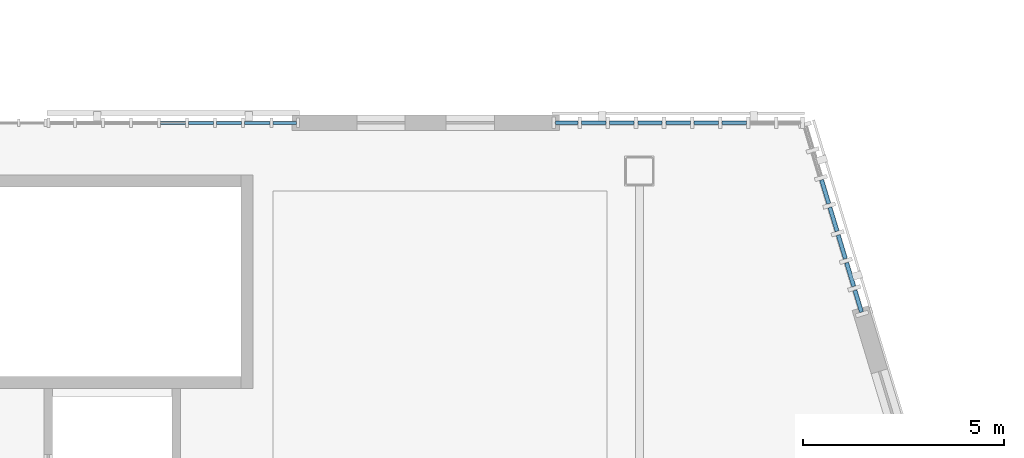
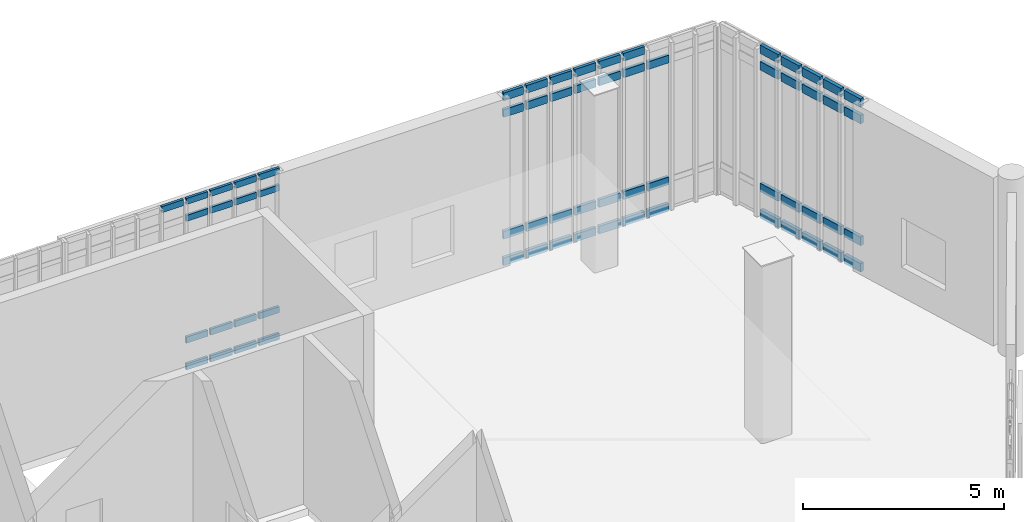
# One storey, part 69 of 135: 64 members, 3 elements without a shape of their own.
"""IFC4 building model written with IfcOpenShell, lengths in metres."""

from ifc_helpers import new_model, si_unit, direction, frame, origin, origin_2d, place, context, subcontext, project, spatial, rectangle, extrude, material, material_profile, profile_set, type_object, element, aggregate, save


model = new_model("IFC4")

# Units and contexts
model_context = context("Model", 3, precision=1e-05, world=origin(), true_north=direction((0.0, 1.0)))
body_context = subcontext(model_context, "Body", "Model", "MODEL_VIEW")
ifc_project = project(units=[si_unit("LENGTHUNIT", "METRE"), si_unit("AREAUNIT", "SQUARE_METRE"), si_unit("VOLUMEUNIT", "CUBIC_METRE"), si_unit("PLANEANGLEUNIT", "RADIAN"), si_unit("MASSUNIT", "GRAM", prefix="KILO")], contexts=[model_context])

# Site, building, storey
site_placement = place(None, origin())
site = spatial("IfcSite", under=ifc_project, at=site_placement, CompositionType="ELEMENT")
building_placement = place(site_placement, origin())
building = spatial("IfcBuilding", under=site, at=building_placement, Name="Larkvane Passage Sports Hall", CompositionType="ELEMENT")
storey_placement = place(building_placement, frame((0.0, 0.0, 16.800048828125)))
storey = spatial("IfcBuildingStorey", under=building, at=storey_placement, Name="L03", CompositionType="ELEMENT", Elevation=16.800048828125)

# Curtain wall, members
ifc_material_1 = material(Name="Thermally broken aluminium and low-E glazing", Category="aluminium")
curtain_wall_type_1 = type_object("IfcCurtainWallType", Name="CW-CLINIC", PredefinedType="USERDEFINED", material=ifc_material_1)
curtain_wall_1_placement = place(storey_placement, origin())
curtain_wall_1 = element("IfcCurtainWall", 1, at=curtain_wall_1_placement, inside=storey, type_object=curtain_wall_type_1, Name="Curtain wall CW5-L03-107", ObjectType="UNITISED CURTAIN WALL", PredefinedType="USERDEFINED")
ifc_material_2 = material(Name="Anodised aluminium 6063-T6", Category="aluminium")
ifc_material_profile_1 = material_profile(ifc_material_2, rectangle(XDim=0.10009765625, YDim=0.260009765625, at=origin_2d()), Name="ALU-TRN-100x260")
ifc_profile_set_1 = profile_set([ifc_material_profile_1], Name="Anodised aluminium 6063-T6")
member_type_1 = type_object("IfcMemberType", Name="CW-TRN-100x260", PredefinedType="USERDEFINED", material=ifc_profile_set_1)
member_1_placement = place(storey_placement, frame((150.128662109375, 83.78076171875, 0.050048828125), z_axis=(0.289127867372, -0.9572904869, 0.0), x_axis=(0.9572904869, 0.289127867372, 0.0)))
member_1 = element("IfcMember", 2, at=member_1_placement, type_object=member_type_1, Name="CW-05 transom 3.1", ObjectType="TRANSOM", PredefinedType="USERDEFINED", context=body_context, shape_type="SweptSolid", body=[
    extrude(rectangle(XDim=0.10009765625, YDim=0.260009765625, at=origin_2d()), origin(), (0.0, 0.0, 1.0), 0.616455078125),
])
member_2_placement = place(storey_placement, frame((150.128662109375, 83.78076171875, 0.849853515625), z_axis=(0.289127867372, -0.9572904869, 0.0), x_axis=(0.9572904869, 0.289127867372, 0.0)))
member_2 = element("IfcMember", 3, at=member_2_placement, type_object=member_type_1, Name="CW-05 transom 3.2", ObjectType="TRANSOM", PredefinedType="USERDEFINED", context=body_context, shape_type="SweptSolid", body=[
    extrude(rectangle(XDim=0.10009765625, YDim=0.260009765625, at=origin_2d()), origin(), (0.0, 0.0, 1.0), 0.616455078125),
])
member_3_placement = place(storey_placement, frame((150.128662109375, 83.78076171875, 4.550048828125), z_axis=(0.289127867372, -0.9572904869, 0.0), x_axis=(0.9572904869, 0.289127867372, 0.0)))
member_3 = element("IfcMember", 4, at=member_3_placement, type_object=member_type_1, Name="CW-05 transom 3.3", ObjectType="TRANSOM", PredefinedType="USERDEFINED", context=body_context, shape_type="SweptSolid", body=[
    extrude(rectangle(XDim=0.10009765625, YDim=0.260009765625, at=origin_2d()), origin(), (0.0, 0.0, 1.0), 0.616455078125),
])
member_4_placement = place(storey_placement, frame((150.128662109375, 83.78076171875, 5.050048828125), z_axis=(0.289127867372, -0.9572904869, 0.0), x_axis=(0.9572904869, 0.289127867372, 0.0)))
member_4 = element("IfcMember", 5, at=member_4_placement, type_object=member_type_1, Name="CW-05 transom 3.4", ObjectType="TRANSOM", PredefinedType="USERDEFINED", context=body_context, shape_type="SweptSolid", body=[
    extrude(rectangle(XDim=0.10009765625, YDim=0.260009765625, at=origin_2d()), origin(), (0.0, 0.0, 1.0), 0.616455078125),
])
member_5_placement = place(storey_placement, frame((150.3359375, 83.094970703125, 0.050048828125), z_axis=(0.289237529827, -0.957257358989, 0.0), x_axis=(0.957257358989, 0.289237529827, 0.0)))
member_5 = element("IfcMember", 6, at=member_5_placement, type_object=member_type_1, Name="CW-05 transom 4.1", ObjectType="TRANSOM", PredefinedType="USERDEFINED", context=body_context, shape_type="SweptSolid", body=[
    extrude(rectangle(XDim=0.10009765625, YDim=0.260009765625, at=origin_2d()), origin(), (0.0, 0.0, 1.0), 0.6162109375),
])
member_6_placement = place(storey_placement, frame((150.3359375, 83.094970703125, 0.849853515625), z_axis=(0.289237529827, -0.957257358989, 0.0), x_axis=(0.957257358989, 0.289237529827, 0.0)))
member_6 = element("IfcMember", 7, at=member_6_placement, type_object=member_type_1, Name="CW-05 transom 4.2", ObjectType="TRANSOM", PredefinedType="USERDEFINED", context=body_context, shape_type="SweptSolid", body=[
    extrude(rectangle(XDim=0.10009765625, YDim=0.260009765625, at=origin_2d()), origin(), (0.0, 0.0, 1.0), 0.6162109375),
])
member_7_placement = place(storey_placement, frame((150.3359375, 83.094970703125, 4.550048828125), z_axis=(0.289237529827, -0.957257358989, 0.0), x_axis=(0.957257358989, 0.289237529827, 0.0)))
member_7 = element("IfcMember", 8, at=member_7_placement, type_object=member_type_1, Name="CW-05 transom 4.3", ObjectType="TRANSOM", PredefinedType="USERDEFINED", context=body_context, shape_type="SweptSolid", body=[
    extrude(rectangle(XDim=0.10009765625, YDim=0.260009765625, at=origin_2d()), origin(), (0.0, 0.0, 1.0), 0.6162109375),
])
member_8_placement = place(storey_placement, frame((150.3359375, 83.094970703125, 5.050048828125), z_axis=(0.289237529827, -0.957257358989, 0.0), x_axis=(0.957257358989, 0.289237529827, 0.0)))
member_8 = element("IfcMember", 9, at=member_8_placement, type_object=member_type_1, Name="CW-05 transom 4.4", ObjectType="TRANSOM", PredefinedType="USERDEFINED", context=body_context, shape_type="SweptSolid", body=[
    extrude(rectangle(XDim=0.10009765625, YDim=0.260009765625, at=origin_2d()), origin(), (0.0, 0.0, 1.0), 0.6162109375),
])
member_9_placement = place(storey_placement, frame((150.54296875, 82.4091796875, 0.050048828125), z_axis=(0.289237529827, -0.957257358989, 0.0), x_axis=(0.957257358989, 0.289237529827, 0.0)))
member_9 = element("IfcMember", 10, at=member_9_placement, type_object=member_type_1, Name="CW-05 transom 5.1", ObjectType="TRANSOM", PredefinedType="USERDEFINED", context=body_context, shape_type="SweptSolid", body=[
    extrude(rectangle(XDim=0.10009765625, YDim=0.260009765625, at=origin_2d()), origin(), (0.0, 0.0, 1.0), 0.6162109375),
])
member_10_placement = place(storey_placement, frame((150.54296875, 82.4091796875, 0.849853515625), z_axis=(0.289237529827, -0.957257358989, 0.0), x_axis=(0.957257358989, 0.289237529827, 0.0)))
member_10 = element("IfcMember", 11, at=member_10_placement, type_object=member_type_1, Name="CW-05 transom 5.2", ObjectType="TRANSOM", PredefinedType="USERDEFINED", context=body_context, shape_type="SweptSolid", body=[
    extrude(rectangle(XDim=0.10009765625, YDim=0.260009765625, at=origin_2d()), origin(), (0.0, 0.0, 1.0), 0.6162109375),
])
member_11_placement = place(storey_placement, frame((150.54296875, 82.4091796875, 4.550048828125), z_axis=(0.289237529827, -0.957257358989, 0.0), x_axis=(0.957257358989, 0.289237529827, 0.0)))
member_11 = element("IfcMember", 12, at=member_11_placement, type_object=member_type_1, Name="CW-05 transom 5.3", ObjectType="TRANSOM", PredefinedType="USERDEFINED", context=body_context, shape_type="SweptSolid", body=[
    extrude(rectangle(XDim=0.10009765625, YDim=0.260009765625, at=origin_2d()), origin(), (0.0, 0.0, 1.0), 0.6162109375),
])
member_12_placement = place(storey_placement, frame((150.54296875, 82.4091796875, 5.050048828125), z_axis=(0.289237529827, -0.957257358989, 0.0), x_axis=(0.957257358989, 0.289237529827, 0.0)))
member_12 = element("IfcMember", 13, at=member_12_placement, type_object=member_type_1, Name="CW-05 transom 5.4", ObjectType="TRANSOM", PredefinedType="USERDEFINED", context=body_context, shape_type="SweptSolid", body=[
    extrude(rectangle(XDim=0.10009765625, YDim=0.260009765625, at=origin_2d()), origin(), (0.0, 0.0, 1.0), 0.6162109375),
])
member_13_placement = place(storey_placement, frame((150.750244140625, 81.7236328125, 0.050048828125), z_axis=(0.289127867372, -0.9572904869, 0.0), x_axis=(0.9572904869, 0.289127867372, 0.0)))
member_13 = element("IfcMember", 14, at=member_13_placement, type_object=member_type_1, Name="CW-05 transom 6.1", ObjectType="TRANSOM", PredefinedType="USERDEFINED", context=body_context, shape_type="SweptSolid", body=[
    extrude(rectangle(XDim=0.10009765625, YDim=0.260009765625, at=origin_2d()), origin(), (0.0, 0.0, 1.0), 0.616455078125),
])
member_14_placement = place(storey_placement, frame((150.750244140625, 81.7236328125, 0.849853515625), z_axis=(0.289127867372, -0.9572904869, 0.0), x_axis=(0.9572904869, 0.289127867372, 0.0)))
member_14 = element("IfcMember", 15, at=member_14_placement, type_object=member_type_1, Name="CW-05 transom 6.2", ObjectType="TRANSOM", PredefinedType="USERDEFINED", context=body_context, shape_type="SweptSolid", body=[
    extrude(rectangle(XDim=0.10009765625, YDim=0.260009765625, at=origin_2d()), origin(), (0.0, 0.0, 1.0), 0.616455078125),
])
member_15_placement = place(storey_placement, frame((150.750244140625, 81.7236328125, 4.550048828125), z_axis=(0.289127867372, -0.9572904869, 0.0), x_axis=(0.9572904869, 0.289127867372, 0.0)))
member_15 = element("IfcMember", 16, at=member_15_placement, type_object=member_type_1, Name="CW-05 transom 6.3", ObjectType="TRANSOM", PredefinedType="USERDEFINED", context=body_context, shape_type="SweptSolid", body=[
    extrude(rectangle(XDim=0.10009765625, YDim=0.260009765625, at=origin_2d()), origin(), (0.0, 0.0, 1.0), 0.616455078125),
])
member_16_placement = place(storey_placement, frame((150.750244140625, 81.7236328125, 5.050048828125), z_axis=(0.289127867372, -0.9572904869, 0.0), x_axis=(0.9572904869, 0.289127867372, 0.0)))
member_16 = element("IfcMember", 17, at=member_16_placement, type_object=member_type_1, Name="CW-05 transom 6.4", ObjectType="TRANSOM", PredefinedType="USERDEFINED", context=body_context, shape_type="SweptSolid", body=[
    extrude(rectangle(XDim=0.10009765625, YDim=0.260009765625, at=origin_2d()), origin(), (0.0, 0.0, 1.0), 0.616455078125),
])
member_17_placement = place(storey_placement, frame((150.957275390625, 81.037841796875, 0.050048828125), z_axis=(0.2893251861, -0.957230869064, 0.0), x_axis=(0.957230869064, 0.2893251861, 0.0)))
member_17 = element("IfcMember", 18, at=member_17_placement, type_object=member_type_1, Name="CW-05 transom 7.1", ObjectType="TRANSOM", PredefinedType="USERDEFINED", context=body_context, shape_type="SweptSolid", body=[
    extrude(rectangle(XDim=0.10009765625, YDim=0.260009765625, at=origin_2d()), origin(), (0.0, 0.0, 1.0), 0.566162109375),
])
member_18_placement = place(storey_placement, frame((150.957275390625, 81.037841796875, 0.849853515625), z_axis=(0.2893251861, -0.957230869064, 0.0), x_axis=(0.957230869064, 0.2893251861, 0.0)))
member_18 = element("IfcMember", 19, at=member_18_placement, type_object=member_type_1, Name="CW-05 transom 7.2", ObjectType="TRANSOM", PredefinedType="USERDEFINED", context=body_context, shape_type="SweptSolid", body=[
    extrude(rectangle(XDim=0.10009765625, YDim=0.260009765625, at=origin_2d()), origin(), (0.0, 0.0, 1.0), 0.566162109375),
])
member_19_placement = place(storey_placement, frame((150.957275390625, 81.037841796875, 4.550048828125), z_axis=(0.2893251861, -0.957230869064, 0.0), x_axis=(0.957230869064, 0.2893251861, 0.0)))
member_19 = element("IfcMember", 20, at=member_19_placement, type_object=member_type_1, Name="CW-05 transom 7.3", ObjectType="TRANSOM", PredefinedType="USERDEFINED", context=body_context, shape_type="SweptSolid", body=[
    extrude(rectangle(XDim=0.10009765625, YDim=0.260009765625, at=origin_2d()), origin(), (0.0, 0.0, 1.0), 0.566162109375),
])
member_20_placement = place(storey_placement, frame((150.957275390625, 81.037841796875, 5.050048828125), z_axis=(0.2893251861, -0.957230869064, 0.0), x_axis=(0.957230869064, 0.2893251861, 0.0)))
member_20 = element("IfcMember", 21, at=member_20_placement, type_object=member_type_1, Name="CW-05 transom 7.4", ObjectType="TRANSOM", PredefinedType="USERDEFINED", context=body_context, shape_type="SweptSolid", body=[
    extrude(rectangle(XDim=0.10009765625, YDim=0.260009765625, at=origin_2d()), origin(), (0.0, 0.0, 1.0), 0.566162109375),
])
aggregate(curtain_wall_1, [member_1, member_2, member_3, member_4, member_5, member_6, member_7, member_8, member_9, member_10, member_11, member_12, member_13, member_14, member_15, member_16, member_17, member_18, member_19, member_20])

curtain_wall_type_2 = type_object("IfcCurtainWallType", Name="CW-UNIT-VEIL", PredefinedType="USERDEFINED", material=ifc_material_1)
curtain_wall_2_placement = place(storey_placement, origin())
curtain_wall_2 = element("IfcCurtainWall", 22, at=curtain_wall_2_placement, inside=storey, type_object=curtain_wall_type_2, Name="Curtain wall CW5-L03-105", ObjectType="UNITISED CURTAIN WALL", PredefinedType="USERDEFINED")
ifc_material_profile_2 = material_profile(ifc_material_2, rectangle(XDim=0.074951171875, YDim=0.18505859375, at=origin_2d()), Name="ALU-TRN-75x185")
ifc_profile_set_2 = profile_set([ifc_material_profile_2], Name="Anodised aluminium 6063-T6")
member_type_2 = type_object("IfcMemberType", Name="CW-TRN-75x185", PredefinedType="USERDEFINED", material=ifc_profile_set_2)
member_21_placement = place(storey_placement, frame((133.701416015625, 85.199951171875, 5.0625), z_axis=(1.0, 0.0, 0.0), x_axis=(0.0, 1.0, 0.0)))
member_21 = element("IfcMember", 23, at=member_21_placement, type_object=member_type_2, Name="CW-02 transom 5.4", ObjectType="TRANSOM", PredefinedType="USERDEFINED", context=body_context, shape_type="SweptSolid", body=[
    extrude(rectangle(XDim=0.074951171875, YDim=0.18505859375, at=origin_2d()), origin(), (0.0, 0.0, 1.0), 0.622314453125),
])
member_22_placement = place(storey_placement, frame((134.398681640625, 85.199951171875, 0.037353515625), z_axis=(1.0, 0.0, 0.0), x_axis=(0.0, 1.0, 0.0)))
member_22 = element("IfcMember", 24, at=member_22_placement, type_object=member_type_2, Name="CW-02 transom 6.1", ObjectType="TRANSOM", PredefinedType="USERDEFINED", context=body_context, shape_type="SweptSolid", body=[
    extrude(rectangle(XDim=0.074951171875, YDim=0.18505859375, at=origin_2d()), origin(), (0.0, 0.0, 1.0), 0.6220703125),
])
member_23_placement = place(storey_placement, frame((134.398681640625, 85.199951171875, 0.849853515625), z_axis=(1.0, 0.0, 0.0), x_axis=(0.0, 1.0, 0.0)))
member_23 = element("IfcMember", 25, at=member_23_placement, type_object=member_type_2, Name="CW-02 transom 6.2", ObjectType="TRANSOM", PredefinedType="USERDEFINED", context=body_context, shape_type="SweptSolid", body=[
    extrude(rectangle(XDim=0.074951171875, YDim=0.18505859375, at=origin_2d()), origin(), (0.0, 0.0, 1.0), 0.6220703125),
])
member_24_placement = place(storey_placement, frame((134.398681640625, 85.199951171875, 4.550048828125), z_axis=(1.0, 0.0, 0.0), x_axis=(0.0, 1.0, 0.0)))
member_24 = element("IfcMember", 26, at=member_24_placement, type_object=member_type_2, Name="CW-02 transom 6.3", ObjectType="TRANSOM", PredefinedType="USERDEFINED", context=body_context, shape_type="SweptSolid", body=[
    extrude(rectangle(XDim=0.074951171875, YDim=0.18505859375, at=origin_2d()), origin(), (0.0, 0.0, 1.0), 0.6220703125),
])
member_25_placement = place(storey_placement, frame((134.398681640625, 85.199951171875, 5.0625), z_axis=(1.0, 0.0, 0.0), x_axis=(0.0, 1.0, 0.0)))
member_25 = element("IfcMember", 27, at=member_25_placement, type_object=member_type_2, Name="CW-02 transom 6.4", ObjectType="TRANSOM", PredefinedType="USERDEFINED", context=body_context, shape_type="SweptSolid", body=[
    extrude(rectangle(XDim=0.074951171875, YDim=0.18505859375, at=origin_2d()), origin(), (0.0, 0.0, 1.0), 0.6220703125),
])
member_26_placement = place(storey_placement, frame((135.095947265625, 85.199951171875, 0.037353515625), z_axis=(1.0, 0.0, 0.0), x_axis=(0.0, 1.0, 0.0)))
member_26 = element("IfcMember", 28, at=member_26_placement, type_object=member_type_2, Name="CW-02 transom 7.1", ObjectType="TRANSOM", PredefinedType="USERDEFINED", context=body_context, shape_type="SweptSolid", body=[
    extrude(rectangle(XDim=0.074951171875, YDim=0.18505859375, at=origin_2d()), origin(), (0.0, 0.0, 1.0), 0.6220703125),
])
member_27_placement = place(storey_placement, frame((135.095947265625, 85.199951171875, 0.849853515625), z_axis=(1.0, 0.0, 0.0), x_axis=(0.0, 1.0, 0.0)))
member_27 = element("IfcMember", 29, at=member_27_placement, type_object=member_type_2, Name="CW-02 transom 7.2", ObjectType="TRANSOM", PredefinedType="USERDEFINED", context=body_context, shape_type="SweptSolid", body=[
    extrude(rectangle(XDim=0.074951171875, YDim=0.18505859375, at=origin_2d()), origin(), (0.0, 0.0, 1.0), 0.6220703125),
])
member_28_placement = place(storey_placement, frame((135.095947265625, 85.199951171875, 4.550048828125), z_axis=(1.0, 0.0, 0.0), x_axis=(0.0, 1.0, 0.0)))
member_28 = element("IfcMember", 30, at=member_28_placement, type_object=member_type_2, Name="CW-02 transom 7.3", ObjectType="TRANSOM", PredefinedType="USERDEFINED", context=body_context, shape_type="SweptSolid", body=[
    extrude(rectangle(XDim=0.074951171875, YDim=0.18505859375, at=origin_2d()), origin(), (0.0, 0.0, 1.0), 0.6220703125),
])
member_29_placement = place(storey_placement, frame((135.095947265625, 85.199951171875, 5.0625), z_axis=(1.0, 0.0, 0.0), x_axis=(0.0, 1.0, 0.0)))
member_29 = element("IfcMember", 31, at=member_29_placement, type_object=member_type_2, Name="CW-02 transom 7.4", ObjectType="TRANSOM", PredefinedType="USERDEFINED", context=body_context, shape_type="SweptSolid", body=[
    extrude(rectangle(XDim=0.074951171875, YDim=0.18505859375, at=origin_2d()), origin(), (0.0, 0.0, 1.0), 0.6220703125),
])
member_30_placement = place(storey_placement, frame((135.79296875, 85.199951171875, 0.037353515625), z_axis=(1.0, 0.0, 0.0), x_axis=(0.0, 1.0, 0.0)))
member_30 = element("IfcMember", 32, at=member_30_placement, type_object=member_type_2, Name="CW-02 transom 8.1", ObjectType="TRANSOM", PredefinedType="USERDEFINED", context=body_context, shape_type="SweptSolid", body=[
    extrude(rectangle(XDim=0.074951171875, YDim=0.18505859375, at=origin_2d()), origin(), (0.0, 0.0, 1.0), 0.622314453125),
])
member_31_placement = place(storey_placement, frame((135.79296875, 85.199951171875, 0.849853515625), z_axis=(1.0, 0.0, 0.0), x_axis=(0.0, 1.0, 0.0)))
member_31 = element("IfcMember", 33, at=member_31_placement, type_object=member_type_2, Name="CW-02 transom 8.2", ObjectType="TRANSOM", PredefinedType="USERDEFINED", context=body_context, shape_type="SweptSolid", body=[
    extrude(rectangle(XDim=0.074951171875, YDim=0.18505859375, at=origin_2d()), origin(), (0.0, 0.0, 1.0), 0.622314453125),
])
member_32_placement = place(storey_placement, frame((135.79296875, 85.199951171875, 4.550048828125), z_axis=(1.0, 0.0, 0.0), x_axis=(0.0, 1.0, 0.0)))
member_32 = element("IfcMember", 34, at=member_32_placement, type_object=member_type_2, Name="CW-02 transom 8.3", ObjectType="TRANSOM", PredefinedType="USERDEFINED", context=body_context, shape_type="SweptSolid", body=[
    extrude(rectangle(XDim=0.074951171875, YDim=0.18505859375, at=origin_2d()), origin(), (0.0, 0.0, 1.0), 0.622314453125),
])
member_33_placement = place(storey_placement, frame((135.79296875, 85.199951171875, 5.0625), z_axis=(1.0, 0.0, 0.0), x_axis=(0.0, 1.0, 0.0)))
member_33 = element("IfcMember", 35, at=member_33_placement, type_object=member_type_2, Name="CW-02 transom 8.4", ObjectType="TRANSOM", PredefinedType="USERDEFINED", context=body_context, shape_type="SweptSolid", body=[
    extrude(rectangle(XDim=0.074951171875, YDim=0.18505859375, at=origin_2d()), origin(), (0.0, 0.0, 1.0), 0.622314453125),
])
member_34_placement = place(storey_placement, frame((136.490234375, 85.199951171875, 0.037353515625), z_axis=(1.0, 0.0, 0.0), x_axis=(0.0, 1.0, 0.0)))
member_34 = element("IfcMember", 36, at=member_34_placement, type_object=member_type_2, Name="CW-02 transom 9.1", ObjectType="TRANSOM", PredefinedType="USERDEFINED", context=body_context, shape_type="SweptSolid", body=[
    extrude(rectangle(XDim=0.074951171875, YDim=0.18505859375, at=origin_2d()), origin(), (0.0, 0.0, 1.0), 0.584716796875),
])
member_35_placement = place(storey_placement, frame((136.490234375, 85.199951171875, 0.849853515625), z_axis=(1.0, 0.0, 0.0), x_axis=(0.0, 1.0, 0.0)))
member_35 = element("IfcMember", 37, at=member_35_placement, type_object=member_type_2, Name="CW-02 transom 9.2", ObjectType="TRANSOM", PredefinedType="USERDEFINED", context=body_context, shape_type="SweptSolid", body=[
    extrude(rectangle(XDim=0.074951171875, YDim=0.18505859375, at=origin_2d()), origin(), (0.0, 0.0, 1.0), 0.584716796875),
])
member_36_placement = place(storey_placement, frame((136.490234375, 85.199951171875, 4.550048828125), z_axis=(1.0, 0.0, 0.0), x_axis=(0.0, 1.0, 0.0)))
member_36 = element("IfcMember", 38, at=member_36_placement, type_object=member_type_2, Name="CW-02 transom 9.3", ObjectType="TRANSOM", PredefinedType="USERDEFINED", context=body_context, shape_type="SweptSolid", body=[
    extrude(rectangle(XDim=0.074951171875, YDim=0.18505859375, at=origin_2d()), origin(), (0.0, 0.0, 1.0), 0.584716796875),
])
member_37_placement = place(storey_placement, frame((136.490234375, 85.199951171875, 5.0625), z_axis=(1.0, 0.0, 0.0), x_axis=(0.0, 1.0, 0.0)))
member_37 = element("IfcMember", 39, at=member_37_placement, type_object=member_type_2, Name="CW-02 transom 9.4", ObjectType="TRANSOM", PredefinedType="USERDEFINED", context=body_context, shape_type="SweptSolid", body=[
    extrude(rectangle(XDim=0.074951171875, YDim=0.18505859375, at=origin_2d()), origin(), (0.0, 0.0, 1.0), 0.584716796875),
])
aggregate(curtain_wall_2, [member_21, member_22, member_23, member_24, member_25, member_26, member_27, member_28, member_29, member_30, member_31, member_32, member_33, member_34, member_35, member_36, member_37])

curtain_wall_type_3 = type_object("IfcCurtainWallType", Name="CW-STICK-FOYER", PredefinedType="USERDEFINED", material=ifc_material_1)
curtain_wall_3_placement = place(storey_placement, origin())
curtain_wall_3 = element("IfcCurtainWall", 40, at=curtain_wall_3_placement, inside=storey, type_object=curtain_wall_type_3, Name="Curtain wall CW5-L03-106", ObjectType="STICK CURTAIN WALL", PredefinedType="USERDEFINED")
ifc_material_profile_3 = material_profile(ifc_material_2, rectangle(XDim=0.090087890625, YDim=0.235107421875, at=origin_2d()), Name="ALU-TRN-90x235")
ifc_profile_set_3 = profile_set([ifc_material_profile_3], Name="Anodised aluminium 6063-T6")
member_type_3 = type_object("IfcMemberType", Name="CW-TRN-90x235", PredefinedType="USERDEFINED", material=ifc_profile_set_3)
member_38_placement = place(storey_placement, frame((143.514892578125, 85.199951171875, 0.044921875), z_axis=(1.0, 0.0, 0.0), x_axis=(0.0, 1.0, 0.0)))
member_38 = element("IfcMember", 41, at=member_38_placement, type_object=member_type_3, Name="CW-03 transom 1.1", ObjectType="TRANSOM", PredefinedType="USERDEFINED", context=body_context, shape_type="SweptSolid", body=[
    extrude(rectangle(XDim=0.090087890625, YDim=0.235107421875, at=origin_2d()), origin(), (0.0, 0.0, 1.0), 0.562255859375),
])
member_39_placement = place(storey_placement, frame((143.514892578125, 85.199951171875, 0.849853515625), z_axis=(1.0, 0.0, 0.0), x_axis=(0.0, 1.0, 0.0)))
member_39 = element("IfcMember", 42, at=member_39_placement, type_object=member_type_3, Name="CW-03 transom 1.2", ObjectType="TRANSOM", PredefinedType="USERDEFINED", context=body_context, shape_type="SweptSolid", body=[
    extrude(rectangle(XDim=0.090087890625, YDim=0.235107421875, at=origin_2d()), origin(), (0.0, 0.0, 1.0), 0.562255859375),
])
member_40_placement = place(storey_placement, frame((143.514892578125, 85.199951171875, 4.550048828125), z_axis=(1.0, 0.0, 0.0), x_axis=(0.0, 1.0, 0.0)))
member_40 = element("IfcMember", 43, at=member_40_placement, type_object=member_type_3, Name="CW-03 transom 1.3", ObjectType="TRANSOM", PredefinedType="USERDEFINED", context=body_context, shape_type="SweptSolid", body=[
    extrude(rectangle(XDim=0.090087890625, YDim=0.235107421875, at=origin_2d()), origin(), (0.0, 0.0, 1.0), 0.562255859375),
])
member_41_placement = place(storey_placement, frame((143.514892578125, 85.199951171875, 5.054931640625), z_axis=(1.0, 0.0, 0.0), x_axis=(0.0, 1.0, 0.0)))
member_41 = element("IfcMember", 44, at=member_41_placement, type_object=member_type_3, Name="CW-03 transom 1.4", ObjectType="TRANSOM", PredefinedType="USERDEFINED", context=body_context, shape_type="SweptSolid", body=[
    extrude(rectangle(XDim=0.090087890625, YDim=0.235107421875, at=origin_2d()), origin(), (0.0, 0.0, 1.0), 0.562255859375),
])
member_42_placement = place(storey_placement, frame((144.167236328125, 85.199951171875, 0.044921875), z_axis=(1.0, 0.0, 0.0), x_axis=(0.0, 1.0, 0.0)))
member_42 = element("IfcMember", 45, at=member_42_placement, type_object=member_type_3, Name="CW-03 transom 2.1", ObjectType="TRANSOM", PredefinedType="USERDEFINED", context=body_context, shape_type="SweptSolid", body=[
    extrude(rectangle(XDim=0.090087890625, YDim=0.235107421875, at=origin_2d()), origin(), (0.0, 0.0, 1.0), 0.607177734375),
])
member_43_placement = place(storey_placement, frame((144.167236328125, 85.199951171875, 0.849853515625), z_axis=(1.0, 0.0, 0.0), x_axis=(0.0, 1.0, 0.0)))
member_43 = element("IfcMember", 46, at=member_43_placement, type_object=member_type_3, Name="CW-03 transom 2.2", ObjectType="TRANSOM", PredefinedType="USERDEFINED", context=body_context, shape_type="SweptSolid", body=[
    extrude(rectangle(XDim=0.090087890625, YDim=0.235107421875, at=origin_2d()), origin(), (0.0, 0.0, 1.0), 0.607177734375),
])
member_44_placement = place(storey_placement, frame((144.167236328125, 85.199951171875, 4.550048828125), z_axis=(1.0, 0.0, 0.0), x_axis=(0.0, 1.0, 0.0)))
member_44 = element("IfcMember", 47, at=member_44_placement, type_object=member_type_3, Name="CW-03 transom 2.3", ObjectType="TRANSOM", PredefinedType="USERDEFINED", context=body_context, shape_type="SweptSolid", body=[
    extrude(rectangle(XDim=0.090087890625, YDim=0.235107421875, at=origin_2d()), origin(), (0.0, 0.0, 1.0), 0.607177734375),
])
member_45_placement = place(storey_placement, frame((144.167236328125, 85.199951171875, 5.054931640625), z_axis=(1.0, 0.0, 0.0), x_axis=(0.0, 1.0, 0.0)))
member_45 = element("IfcMember", 48, at=member_45_placement, type_object=member_type_3, Name="CW-03 transom 2.4", ObjectType="TRANSOM", PredefinedType="USERDEFINED", context=body_context, shape_type="SweptSolid", body=[
    extrude(rectangle(XDim=0.090087890625, YDim=0.235107421875, at=origin_2d()), origin(), (0.0, 0.0, 1.0), 0.607177734375),
])
member_46_placement = place(storey_placement, frame((144.864501953125, 85.199951171875, 0.044921875), z_axis=(1.0, 0.0, 0.0), x_axis=(0.0, 1.0, 0.0)))
member_46 = element("IfcMember", 49, at=member_46_placement, type_object=member_type_3, Name="CW-03 transom 3.1", ObjectType="TRANSOM", PredefinedType="USERDEFINED", context=body_context, shape_type="SweptSolid", body=[
    extrude(rectangle(XDim=0.090087890625, YDim=0.235107421875, at=origin_2d()), origin(), (0.0, 0.0, 1.0), 0.607177734375),
])
member_47_placement = place(storey_placement, frame((144.864501953125, 85.199951171875, 0.849853515625), z_axis=(1.0, 0.0, 0.0), x_axis=(0.0, 1.0, 0.0)))
member_47 = element("IfcMember", 50, at=member_47_placement, type_object=member_type_3, Name="CW-03 transom 3.2", ObjectType="TRANSOM", PredefinedType="USERDEFINED", context=body_context, shape_type="SweptSolid", body=[
    extrude(rectangle(XDim=0.090087890625, YDim=0.235107421875, at=origin_2d()), origin(), (0.0, 0.0, 1.0), 0.607177734375),
])
member_48_placement = place(storey_placement, frame((144.864501953125, 85.199951171875, 4.550048828125), z_axis=(1.0, 0.0, 0.0), x_axis=(0.0, 1.0, 0.0)))
member_48 = element("IfcMember", 51, at=member_48_placement, type_object=member_type_3, Name="CW-03 transom 3.3", ObjectType="TRANSOM", PredefinedType="USERDEFINED", context=body_context, shape_type="SweptSolid", body=[
    extrude(rectangle(XDim=0.090087890625, YDim=0.235107421875, at=origin_2d()), origin(), (0.0, 0.0, 1.0), 0.607177734375),
])
member_49_placement = place(storey_placement, frame((144.864501953125, 85.199951171875, 5.054931640625), z_axis=(1.0, 0.0, 0.0), x_axis=(0.0, 1.0, 0.0)))
member_49 = element("IfcMember", 52, at=member_49_placement, type_object=member_type_3, Name="CW-03 transom 3.4", ObjectType="TRANSOM", PredefinedType="USERDEFINED", context=body_context, shape_type="SweptSolid", body=[
    extrude(rectangle(XDim=0.090087890625, YDim=0.235107421875, at=origin_2d()), origin(), (0.0, 0.0, 1.0), 0.607177734375),
])
member_50_placement = place(storey_placement, frame((145.561767578125, 85.199951171875, 0.044921875), z_axis=(1.0, 0.0, 0.0), x_axis=(0.0, 1.0, 0.0)))
member_50 = element("IfcMember", 53, at=member_50_placement, type_object=member_type_3, Name="CW-03 transom 4.1", ObjectType="TRANSOM", PredefinedType="USERDEFINED", context=body_context, shape_type="SweptSolid", body=[
    extrude(rectangle(XDim=0.090087890625, YDim=0.235107421875, at=origin_2d()), origin(), (0.0, 0.0, 1.0), 0.607177734375),
])
member_51_placement = place(storey_placement, frame((145.561767578125, 85.199951171875, 0.849853515625), z_axis=(1.0, 0.0, 0.0), x_axis=(0.0, 1.0, 0.0)))
member_51 = element("IfcMember", 54, at=member_51_placement, type_object=member_type_3, Name="CW-03 transom 4.2", ObjectType="TRANSOM", PredefinedType="USERDEFINED", context=body_context, shape_type="SweptSolid", body=[
    extrude(rectangle(XDim=0.090087890625, YDim=0.235107421875, at=origin_2d()), origin(), (0.0, 0.0, 1.0), 0.607177734375),
])
member_52_placement = place(storey_placement, frame((145.561767578125, 85.199951171875, 4.550048828125), z_axis=(1.0, 0.0, 0.0), x_axis=(0.0, 1.0, 0.0)))
member_52 = element("IfcMember", 55, at=member_52_placement, type_object=member_type_3, Name="CW-03 transom 4.3", ObjectType="TRANSOM", PredefinedType="USERDEFINED", context=body_context, shape_type="SweptSolid", body=[
    extrude(rectangle(XDim=0.090087890625, YDim=0.235107421875, at=origin_2d()), origin(), (0.0, 0.0, 1.0), 0.607177734375),
])
member_53_placement = place(storey_placement, frame((145.561767578125, 85.199951171875, 5.054931640625), z_axis=(1.0, 0.0, 0.0), x_axis=(0.0, 1.0, 0.0)))
member_53 = element("IfcMember", 56, at=member_53_placement, type_object=member_type_3, Name="CW-03 transom 4.4", ObjectType="TRANSOM", PredefinedType="USERDEFINED", context=body_context, shape_type="SweptSolid", body=[
    extrude(rectangle(XDim=0.090087890625, YDim=0.235107421875, at=origin_2d()), origin(), (0.0, 0.0, 1.0), 0.607177734375),
])
member_54_placement = place(storey_placement, frame((146.2587890625, 85.199951171875, 0.044921875), z_axis=(1.0, 0.0, 0.0), x_axis=(0.0, 1.0, 0.0)))
member_54 = element("IfcMember", 57, at=member_54_placement, type_object=member_type_3, Name="CW-03 transom 5.1", ObjectType="TRANSOM", PredefinedType="USERDEFINED", context=body_context, shape_type="SweptSolid", body=[
    extrude(rectangle(XDim=0.090087890625, YDim=0.235107421875, at=origin_2d()), origin(), (0.0, 0.0, 1.0), 0.607421875),
])
member_55_placement = place(storey_placement, frame((146.2587890625, 85.199951171875, 0.849853515625), z_axis=(1.0, 0.0, 0.0), x_axis=(0.0, 1.0, 0.0)))
member_55 = element("IfcMember", 58, at=member_55_placement, type_object=member_type_3, Name="CW-03 transom 5.2", ObjectType="TRANSOM", PredefinedType="USERDEFINED", context=body_context, shape_type="SweptSolid", body=[
    extrude(rectangle(XDim=0.090087890625, YDim=0.235107421875, at=origin_2d()), origin(), (0.0, 0.0, 1.0), 0.607421875),
])
member_56_placement = place(storey_placement, frame((146.2587890625, 85.199951171875, 4.550048828125), z_axis=(1.0, 0.0, 0.0), x_axis=(0.0, 1.0, 0.0)))
member_56 = element("IfcMember", 59, at=member_56_placement, type_object=member_type_3, Name="CW-03 transom 5.3", ObjectType="TRANSOM", PredefinedType="USERDEFINED", context=body_context, shape_type="SweptSolid", body=[
    extrude(rectangle(XDim=0.090087890625, YDim=0.235107421875, at=origin_2d()), origin(), (0.0, 0.0, 1.0), 0.607421875),
])
member_57_placement = place(storey_placement, frame((146.2587890625, 85.199951171875, 5.054931640625), z_axis=(1.0, 0.0, 0.0), x_axis=(0.0, 1.0, 0.0)))
member_57 = element("IfcMember", 60, at=member_57_placement, type_object=member_type_3, Name="CW-03 transom 5.4", ObjectType="TRANSOM", PredefinedType="USERDEFINED", context=body_context, shape_type="SweptSolid", body=[
    extrude(rectangle(XDim=0.090087890625, YDim=0.235107421875, at=origin_2d()), origin(), (0.0, 0.0, 1.0), 0.607421875),
])
member_58_placement = place(storey_placement, frame((146.9560546875, 85.199951171875, 0.044921875), z_axis=(1.0, 0.0, 0.0), x_axis=(0.0, 1.0, 0.0)))
member_58 = element("IfcMember", 61, at=member_58_placement, type_object=member_type_3, Name="CW-03 transom 6.1", ObjectType="TRANSOM", PredefinedType="USERDEFINED", context=body_context, shape_type="SweptSolid", body=[
    extrude(rectangle(XDim=0.090087890625, YDim=0.235107421875, at=origin_2d()), origin(), (0.0, 0.0, 1.0), 0.607177734375),
])
member_59_placement = place(storey_placement, frame((146.9560546875, 85.199951171875, 0.849853515625), z_axis=(1.0, 0.0, 0.0), x_axis=(0.0, 1.0, 0.0)))
member_59 = element("IfcMember", 62, at=member_59_placement, type_object=member_type_3, Name="CW-03 transom 6.2", ObjectType="TRANSOM", PredefinedType="USERDEFINED", context=body_context, shape_type="SweptSolid", body=[
    extrude(rectangle(XDim=0.090087890625, YDim=0.235107421875, at=origin_2d()), origin(), (0.0, 0.0, 1.0), 0.607177734375),
])
member_60_placement = place(storey_placement, frame((146.9560546875, 85.199951171875, 4.550048828125), z_axis=(1.0, 0.0, 0.0), x_axis=(0.0, 1.0, 0.0)))
member_60 = element("IfcMember", 63, at=member_60_placement, type_object=member_type_3, Name="CW-03 transom 6.3", ObjectType="TRANSOM", PredefinedType="USERDEFINED", context=body_context, shape_type="SweptSolid", body=[
    extrude(rectangle(XDim=0.090087890625, YDim=0.235107421875, at=origin_2d()), origin(), (0.0, 0.0, 1.0), 0.607177734375),
])
member_61_placement = place(storey_placement, frame((146.9560546875, 85.199951171875, 5.054931640625), z_axis=(1.0, 0.0, 0.0), x_axis=(0.0, 1.0, 0.0)))
member_61 = element("IfcMember", 64, at=member_61_placement, type_object=member_type_3, Name="CW-03 transom 6.4", ObjectType="TRANSOM", PredefinedType="USERDEFINED", context=body_context, shape_type="SweptSolid", body=[
    extrude(rectangle(XDim=0.090087890625, YDim=0.235107421875, at=origin_2d()), origin(), (0.0, 0.0, 1.0), 0.607177734375),
])
member_62_placement = place(storey_placement, frame((147.6533203125, 85.199951171875, 0.044921875), z_axis=(1.0, 0.0, 0.0), x_axis=(0.0, 1.0, 0.0)))
member_62 = element("IfcMember", 65, at=member_62_placement, type_object=member_type_3, Name="CW-03 transom 7.1", ObjectType="TRANSOM", PredefinedType="USERDEFINED", context=body_context, shape_type="SweptSolid", body=[
    extrude(rectangle(XDim=0.090087890625, YDim=0.235107421875, at=origin_2d()), origin(), (0.0, 0.0, 1.0), 0.607177734375),
])
member_63_placement = place(storey_placement, frame((147.6533203125, 85.199951171875, 0.849853515625), z_axis=(1.0, 0.0, 0.0), x_axis=(0.0, 1.0, 0.0)))
member_63 = element("IfcMember", 66, at=member_63_placement, type_object=member_type_3, Name="CW-03 transom 7.2", ObjectType="TRANSOM", PredefinedType="USERDEFINED", context=body_context, shape_type="SweptSolid", body=[
    extrude(rectangle(XDim=0.090087890625, YDim=0.235107421875, at=origin_2d()), origin(), (0.0, 0.0, 1.0), 0.607177734375),
])
member_64_placement = place(storey_placement, frame((147.6533203125, 85.199951171875, 4.550048828125), z_axis=(1.0, 0.0, 0.0), x_axis=(0.0, 1.0, 0.0)))
member_64 = element("IfcMember", 67, at=member_64_placement, type_object=member_type_3, Name="CW-03 transom 7.3", ObjectType="TRANSOM", PredefinedType="USERDEFINED", context=body_context, shape_type="SweptSolid", body=[
    extrude(rectangle(XDim=0.090087890625, YDim=0.235107421875, at=origin_2d()), origin(), (0.0, 0.0, 1.0), 0.607177734375),
])
aggregate(curtain_wall_3, [member_38, member_39, member_40, member_41, member_42, member_43, member_44, member_45, member_46, member_47, member_48, member_49, member_50, member_51, member_52, member_53, member_54, member_55, member_56, member_57, member_58, member_59, member_60, member_61, member_62, member_63, member_64])

save(model, "model.ifc")
